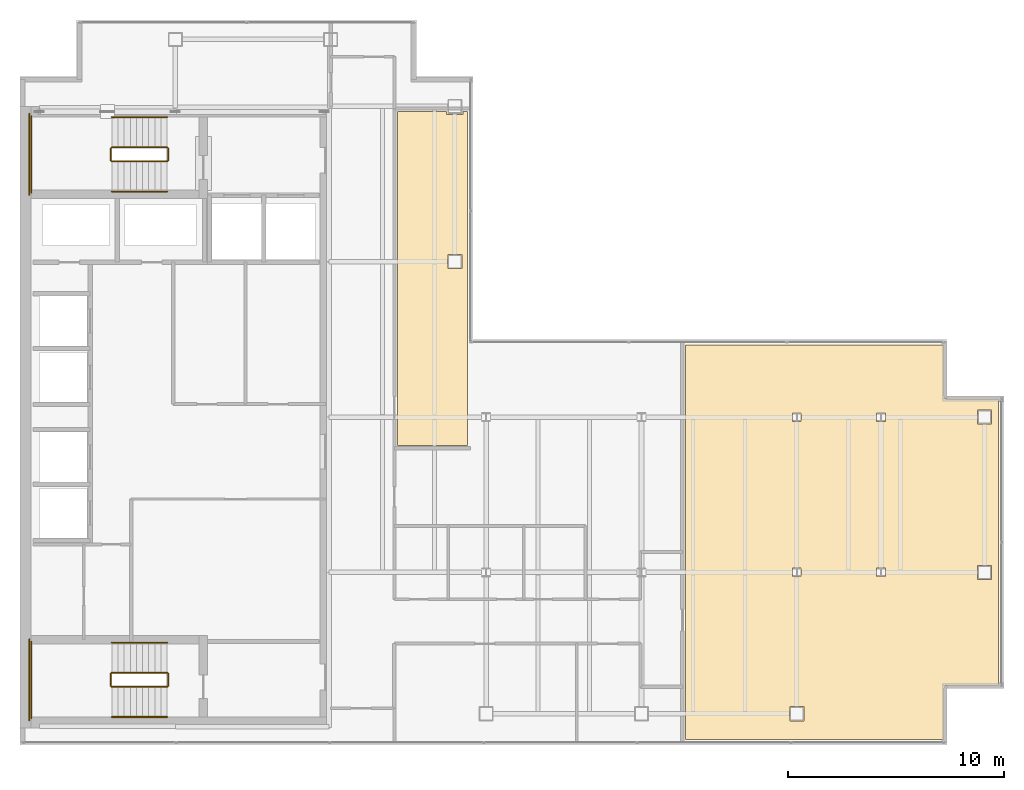
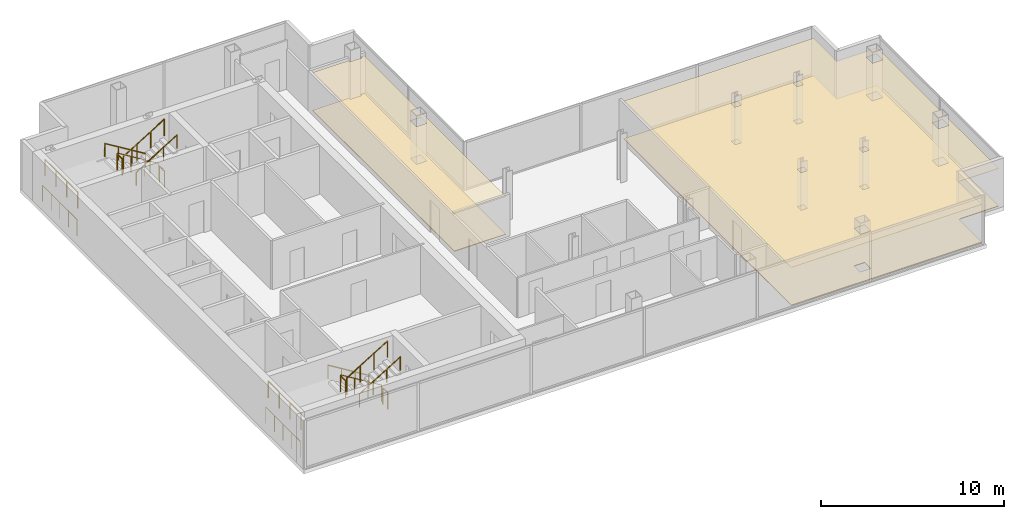
# One storey, part 23 of 23: 16 railings, 4 coverings.
"""IFC4 building model written with IfcOpenShell, lengths in metres."""

from ifc_helpers import new_model, si_unit, direction, frame, origin, origin_2d, place, context, subcontext, project, spatial, polyline, circle, outline, extrude, material, layer, layer_set, type_object, element, save


model = new_model("IFC4")

# Units and contexts
model_context = context("Model", 3, precision=1e-05, world=origin(), true_north=direction((0.0, 1.0)))
body_context = subcontext(model_context, "Body", "Model", "MODEL_VIEW")
ifc_project = project(units=[si_unit("LENGTHUNIT", "METRE"), si_unit("AREAUNIT", "SQUARE_METRE"), si_unit("VOLUMEUNIT", "CUBIC_METRE"), si_unit("PLANEANGLEUNIT", "RADIAN"), si_unit("MASSUNIT", "GRAM", prefix="KILO")], contexts=[model_context])

# Site, building, storey
site_placement = place(None, origin())
site = spatial("IfcSite", under=ifc_project, at=site_placement, CompositionType="ELEMENT")
building_placement = place(site_placement, origin())
building = spatial("IfcBuilding", under=site, at=building_placement, Name="Cobrela Telecom Tower", CompositionType="ELEMENT")
storey_placement = place(building_placement, frame((0.0, 0.0, 272.64990234375)))
storey = spatial("IfcBuildingStorey", under=building, at=storey_placement, Name="L71", CompositionType="ELEMENT", Elevation=272.64990234375)

# Coverings
ifc_material_1 = material(Name="Mineral Fibre Acoustic Ceiling Tile")
ifc_layer_1 = layer(ifc_material_1, 0.02490234375)
ifc_layer_set_1 = layer_set([ifc_layer_1], Name="Mineral Fibre Acoustic Ceiling Tile")
covering_type_1 = type_object("IfcCoveringType", Name="COV-CEIL-ACT", PredefinedType="CEILING", material=ifc_layer_set_1)
covering_1_placement = place(storey_placement, frame((0.0, 0.0, 2.52001953125)))
element("IfcCovering", 1, at=covering_1_placement, inside=storey, type_object=covering_type_1, Name="L71 Staff Fitness Gym 8 Suspended Acoustic Ceiling", PredefinedType="CEILING", context=body_context, shape_type="SweptSolid", body=[
    extrude(outline(polyline([(42.942626953125, 9.16748046875), (42.929443359375, 9.1640625), (42.91650390625, 9.159423828125), (42.904052734375, 9.153564453125), (42.89208984375, 9.146484375), (42.881103515625, 9.13818359375), (42.87109375, 9.12890625), (42.86181640625, 9.118896484375), (42.853515625, 9.10791015625), (42.846435546875, 9.095947265625), (42.840576171875, 9.08349609375), (42.8359375, 9.070556640625), (42.83251953125, 9.057373046875), (42.83056640625, 9.043701171875), (42.830078125, 9.031005859375), (42.830078125, 6.659912109375), (30.840087890625, 6.659912109375), (30.840087890625, 24.93994140625), (42.830078125, 24.93994140625), (42.830078125, 22.569091796875), (42.83056640625, 22.556396484375), (42.83251953125, 22.542724609375), (42.8359375, 22.529296875), (42.840576171875, 22.516357421875), (42.846435546875, 22.50390625), (42.853515625, 22.4921875), (42.86181640625, 22.481201171875), (42.87109375, 22.470947265625), (42.881103515625, 22.461669921875), (42.89208984375, 22.45361328125), (42.904052734375, 22.446533203125), (42.91650390625, 22.440673828125), (42.929443359375, 22.43603515625), (42.942626953125, 22.4326171875), (42.956298828125, 22.4306640625), (42.968994140625, 22.429931640625), (45.340087890625, 22.429931640625), (45.340087890625, 9.169921875), (42.968994140625, 9.169921875), (42.956298828125, 9.16943359375), (42.942626953125, 9.16748046875)]), holes=[polyline([(36.324951171875, 8.175048828125), (35.675048828125, 8.175048828125), (35.675048828125, 7.52490234375), (36.324951171875, 7.52490234375), (36.324951171875, 8.175048828125)]), polyline([(36.199462890625, 14.596923828125), (35.800537109375, 14.596923828125), (35.800537109375, 14.202880859375), (36.199462890625, 14.202880859375), (36.199462890625, 14.596923828125)]), polyline([(40.099609375, 14.596923828125), (39.700439453125, 14.596923828125), (39.700439453125, 14.202880859375), (40.099609375, 14.202880859375), (40.099609375, 14.596923828125)]), polyline([(45.02490234375, 14.72509765625), (44.375, 14.72509765625), (44.375, 14.074951171875), (45.02490234375, 14.074951171875), (45.02490234375, 14.72509765625)]), polyline([(36.199462890625, 21.797119140625), (35.800537109375, 21.797119140625), (35.800537109375, 21.403076171875), (36.199462890625, 21.403076171875), (36.199462890625, 21.797119140625)]), polyline([(40.099609375, 21.403076171875), (40.099609375, 21.797119140625), (39.700439453125, 21.797119140625), (39.700439453125, 21.403076171875), (40.099609375, 21.403076171875)]), polyline([(45.02490234375, 21.27490234375), (45.02490234375, 21.925048828125), (44.375, 21.925048828125), (44.375, 21.27490234375), (45.02490234375, 21.27490234375)])]), origin(), (0.0, 0.0, 1.0), 0.025146484375),
])
covering_2_placement = place(storey_placement, frame((0.0, 0.0, 2.52001953125)))
element("IfcCovering", 2, at=covering_2_placement, inside=storey, type_object=covering_type_1, Name="L71 Carrier Operations Office 3 Suspended Acoustic Ceiling", PredefinedType="CEILING", context=body_context, shape_type="SweptSolid", body=[
    extrude(outline(polyline([(19.77490234375, 35.625), (20.52490234375, 35.625), (20.52490234375, 35.760009765625), (20.739990234375, 35.760009765625), (20.739990234375, 20.2900390625), (17.489990234375, 20.2900390625), (17.489990234375, 35.760009765625), (19.77490234375, 35.760009765625), (19.77490234375, 35.625)]), holes=[polyline([(20.47509765625, 29.125), (19.824951171875, 29.125), (19.824951171875, 28.47509765625), (20.47509765625, 28.47509765625), (20.47509765625, 29.125)])]), origin(), (0.0, 0.0, 1.0), 0.025146484375),
])
ifc_material_2 = material(Name="Honed Colombian Basalt Stone", Category="masonry")
ifc_layer_2 = layer(ifc_material_2, 0.0400390625)
ifc_layer_set_2 = layer_set([ifc_layer_2], Name="Honed Colombian Basalt Stone")
covering_type_2 = type_object("IfcCoveringType", Name="COV-FLR-STONE", PredefinedType="FLOORING", material=ifc_layer_set_2)
covering_3_placement = place(storey_placement, origin())
element("IfcCovering", 3, at=covering_3_placement, inside=storey, type_object=covering_type_2, Name="L71 Staff Fitness Gym 8 Raised Technical Flooring", PredefinedType="FLOORING", context=body_context, shape_type="SweptSolid", body=[
    extrude(outline(polyline([(42.942626953125, 9.16748046875), (42.929443359375, 9.1640625), (42.91650390625, 9.159423828125), (42.904052734375, 9.153564453125), (42.89208984375, 9.146484375), (42.881103515625, 9.13818359375), (42.87109375, 9.12890625), (42.86181640625, 9.118896484375), (42.853515625, 9.10791015625), (42.846435546875, 9.095947265625), (42.840576171875, 9.08349609375), (42.8359375, 9.070556640625), (42.83251953125, 9.057373046875), (42.83056640625, 9.043701171875), (42.830078125, 9.031005859375), (42.830078125, 6.659912109375), (30.840087890625, 6.659912109375), (30.840087890625, 24.93994140625), (42.830078125, 24.93994140625), (42.830078125, 22.569091796875), (42.83056640625, 22.556396484375), (42.83251953125, 22.542724609375), (42.8359375, 22.529296875), (42.840576171875, 22.516357421875), (42.846435546875, 22.50390625), (42.853515625, 22.4921875), (42.86181640625, 22.481201171875), (42.87109375, 22.470947265625), (42.881103515625, 22.461669921875), (42.89208984375, 22.45361328125), (42.904052734375, 22.446533203125), (42.91650390625, 22.440673828125), (42.929443359375, 22.43603515625), (42.942626953125, 22.4326171875), (42.956298828125, 22.4306640625), (42.968994140625, 22.429931640625), (45.340087890625, 22.429931640625), (45.340087890625, 9.169921875), (42.968994140625, 9.169921875), (42.956298828125, 9.16943359375), (42.942626953125, 9.16748046875)]), holes=[polyline([(36.324951171875, 8.175048828125), (35.675048828125, 8.175048828125), (35.675048828125, 7.52490234375), (36.324951171875, 7.52490234375), (36.324951171875, 8.175048828125)]), polyline([(36.199462890625, 14.596923828125), (35.800537109375, 14.596923828125), (35.800537109375, 14.202880859375), (36.199462890625, 14.202880859375), (36.199462890625, 14.596923828125)]), polyline([(40.099609375, 14.596923828125), (39.700439453125, 14.596923828125), (39.700439453125, 14.202880859375), (40.099609375, 14.202880859375), (40.099609375, 14.596923828125)]), polyline([(45.02490234375, 14.72509765625), (44.375, 14.72509765625), (44.375, 14.074951171875), (45.02490234375, 14.074951171875), (45.02490234375, 14.72509765625)]), polyline([(36.199462890625, 21.797119140625), (35.800537109375, 21.797119140625), (35.800537109375, 21.403076171875), (36.199462890625, 21.403076171875), (36.199462890625, 21.797119140625)]), polyline([(40.099609375, 21.403076171875), (40.099609375, 21.797119140625), (39.700439453125, 21.797119140625), (39.700439453125, 21.403076171875), (40.099609375, 21.403076171875)]), polyline([(45.02490234375, 21.27490234375), (45.02490234375, 21.925048828125), (44.375, 21.925048828125), (44.375, 21.27490234375), (45.02490234375, 21.27490234375)])]), origin(), (0.0, 0.0, 1.0), 0.0400390625),
])
covering_4_placement = place(storey_placement, origin())
element("IfcCovering", 4, at=covering_4_placement, inside=storey, type_object=covering_type_2, Name="L71 Carrier Operations Office 3 Raised Technical Flooring", PredefinedType="FLOORING", context=body_context, shape_type="SweptSolid", body=[
    extrude(outline(polyline([(19.77490234375, 35.625), (20.52490234375, 35.625), (20.52490234375, 35.760009765625), (20.739990234375, 35.760009765625), (20.739990234375, 20.2900390625), (17.489990234375, 20.2900390625), (17.489990234375, 35.760009765625), (19.77490234375, 35.760009765625), (19.77490234375, 35.625)]), holes=[polyline([(20.47509765625, 29.125), (19.824951171875, 29.125), (19.824951171875, 28.47509765625), (20.47509765625, 28.47509765625), (20.47509765625, 29.125)])]), origin(), (0.0, 0.0, 1.0), 0.0400390625),
])

# Railings
ifc_material_3 = material(Name="Steel ASTM A36", Category="steel")
railing_type_1 = type_object("IfcRailingType", Name="RAIL-GUARD-1100", PredefinedType="GUARDRAIL", material=ifc_material_3)
railing_1_placement = place(storey_placement, frame((6.820068359375, 34.10009765625, 0.175048828125)))
element("IfcRailing", 5, at=railing_1_placement, inside=storey, type_object=railing_type_1, Name="L71 ST1 stair guard 1", PredefinedType="GUARDRAIL", context=body_context, shape_type="SweptSolid", body=[
    extrude(circle(Radius=0.02392578125, at=origin_2d()), frame((0.0, 0.0, 1.076171875), z_axis=(-0.852195335862, 0.0, 0.523223766217), x_axis=(0.0, -1.0, 0.0)), (0.0, 0.0, 1.0), 3.010009765625),
    extrude(circle(Radius=0.02099609375, at=origin_2d()), origin(), (0.0, 0.0, 1.0), 1.052001953125),
    extrude(circle(Radius=0.02099609375, at=origin_2d()), frame((-0.85498046875, 0.0, 0.52490234375)), (0.0, 0.0, 1.0), 1.052001953125),
    extrude(circle(Radius=0.02099609375, at=origin_2d()), frame((-1.710205078125, 0.0, 1.050048828125)), (0.0, 0.0, 1.0), 1.052001953125),
    extrude(circle(Radius=0.02099609375, at=origin_2d()), frame((-2.565185546875, 0.0, 1.574951171875)), (0.0, 0.0, 1.0), 1.052001953125),
])
railing_2_placement = place(storey_placement, frame((4.205078125, 34.050048828125, 1.75)))
element("IfcRailing", 6, at=railing_2_placement, inside=storey, type_object=railing_type_1, Name="L71 ST1 stair guard 2", PredefinedType="GUARDRAIL", context=body_context, shape_type="SweptSolid", body=[
    extrude(circle(Radius=0.02392578125, at=origin_2d()), frame((0.0, 0.0, 1.076171875), z_axis=(0.0, -1.0, 0.0), x_axis=(1.0, 0.0, 0.0)), (0.0, 0.0, 1.0), 0.550048828125),
    extrude(circle(Radius=0.02099609375, at=origin_2d()), origin(), (0.0, 0.0, 1.0), 1.052001953125),
    extrude(circle(Radius=0.02099609375, at=origin_2d()), frame((0.0, -0.550048828125, 0.0)), (0.0, 0.0, 1.0), 1.052001953125),
])
railing_3_placement = place(storey_placement, frame((0.530029296875, 35.550048828125, 1.75)))
element("IfcRailing", 7, at=railing_3_placement, inside=storey, type_object=railing_type_1, Name="L71 ST1 stair guard 3", PredefinedType="GUARDRAIL", context=body_context, shape_type="SweptSolid", body=[
    extrude(circle(Radius=0.02392578125, at=origin_2d()), frame((0.0, 0.0, 1.076171875), z_axis=(0.0, -1.0, 0.0), x_axis=(1.0, 0.0, 0.0)), (0.0, 0.0, 1.0), 3.550048828125),
    extrude(circle(Radius=0.02099609375, at=origin_2d()), origin(), (0.0, 0.0, 1.0), 1.052001953125),
    extrude(circle(Radius=0.02099609375, at=origin_2d()), frame((0.0, -1.183349609375, 0.0)), (0.0, 0.0, 1.0), 1.052001953125),
    extrude(circle(Radius=0.02099609375, at=origin_2d()), frame((0.0, -2.36669921875, 0.0)), (0.0, 0.0, 1.0), 1.052001953125),
    extrude(circle(Radius=0.02099609375, at=origin_2d()), frame((0.0, -3.550048828125, 0.0)), (0.0, 0.0, 1.0), 1.052001953125),
])
railing_4_placement = place(storey_placement, frame((4.2548828125, 33.449951171875, 1.925048828125)))
element("IfcRailing", 8, at=railing_4_placement, inside=storey, type_object=railing_type_1, Name="L71 ST1 stair guard 4", PredefinedType="GUARDRAIL", context=body_context, shape_type="SweptSolid", body=[
    extrude(circle(Radius=0.02392578125, at=origin_2d()), frame((0.0, 0.0, 1.076171875), z_axis=(0.852195335862, 0.0, 0.523223766217), x_axis=(0.0, 1.0, 0.0)), (0.0, 0.0, 1.0), 3.010009765625),
    extrude(circle(Radius=0.02099609375, at=origin_2d()), origin(), (0.0, 0.0, 1.0), 1.052001953125),
    extrude(circle(Radius=0.02099609375, at=origin_2d()), frame((0.85498046875, 0.0, 0.52490234375)), (0.0, 0.0, 1.0), 1.052001953125),
    extrude(circle(Radius=0.02099609375, at=origin_2d()), frame((1.710205078125, 0.0, 1.050048828125)), (0.0, 0.0, 1.0), 1.052001953125),
    extrude(circle(Radius=0.02099609375, at=origin_2d()), frame((2.565185546875, 0.0, 1.574951171875)), (0.0, 0.0, 1.0), 1.052001953125),
])
railing_5_placement = place(storey_placement, frame((6.8701171875, 34.050048828125, 0.0)))
element("IfcRailing", 9, at=railing_5_placement, inside=storey, type_object=railing_type_1, Name="L71 ST1 stair guard 5", PredefinedType="GUARDRAIL", context=body_context, shape_type="SweptSolid", body=[
    extrude(circle(Radius=0.02392578125, at=origin_2d()), frame((0.0, 0.0, 1.076171875), z_axis=(0.0, -1.0, 0.0), x_axis=(1.0, 0.0, 0.0)), (0.0, 0.0, 1.0), 0.550048828125),
    extrude(circle(Radius=0.02099609375, at=origin_2d()), origin(), (0.0, 0.0, 1.0), 1.052001953125),
    extrude(circle(Radius=0.02099609375, at=origin_2d()), frame((0.0, -0.550048828125, 0.0)), (0.0, 0.0, 1.0), 1.052001953125),
])
railing_6_placement = place(storey_placement, frame((0.429931640625, 35.64990234375, 0.0)))
element("IfcRailing", 10, at=railing_6_placement, inside=storey, type_object=railing_type_1, Name="L71 ST1 stair guard 6", PredefinedType="GUARDRAIL", context=body_context, shape_type="SweptSolid", body=[
    extrude(circle(Radius=0.02392578125, at=origin_2d()), frame((0.0, 0.0, 1.076171875), z_axis=(0.0, -1.0, 0.0), x_axis=(1.0, 0.0, 0.0)), (0.0, 0.0, 1.0), 3.75),
    extrude(circle(Radius=0.02099609375, at=origin_2d()), origin(), (0.0, 0.0, 1.0), 1.052001953125),
    extrude(circle(Radius=0.02099609375, at=origin_2d()), frame((0.0, -0.9375, 0.0)), (0.0, 0.0, 1.0), 1.052001953125),
    extrude(circle(Radius=0.02099609375, at=origin_2d()), frame((0.0, -1.875, 0.0)), (0.0, 0.0, 1.0), 1.052001953125),
    extrude(circle(Radius=0.02099609375, at=origin_2d()), frame((0.0, -2.8125, 0.0)), (0.0, 0.0, 1.0), 1.052001953125),
    extrude(circle(Radius=0.02099609375, at=origin_2d()), frame((0.0, -3.75, 0.0)), (0.0, 0.0, 1.0), 1.052001953125),
])
railing_7_placement = place(storey_placement, frame((6.820068359375, 9.75, 0.175048828125)))
element("IfcRailing", 11, at=railing_7_placement, inside=storey, type_object=railing_type_1, Name="L71 ST2 stair guard 1", PredefinedType="GUARDRAIL", context=body_context, shape_type="SweptSolid", body=[
    extrude(circle(Radius=0.02392578125, at=origin_2d()), frame((0.0, 0.0, 1.076171875), z_axis=(-0.852195335862, 0.0, 0.523223766217), x_axis=(0.0, -1.0, 0.0)), (0.0, 0.0, 1.0), 3.010009765625),
    extrude(circle(Radius=0.02099609375, at=origin_2d()), origin(), (0.0, 0.0, 1.0), 1.052001953125),
    extrude(circle(Radius=0.02099609375, at=origin_2d()), frame((-0.85498046875, 0.0, 0.52490234375)), (0.0, 0.0, 1.0), 1.052001953125),
    extrude(circle(Radius=0.02099609375, at=origin_2d()), frame((-1.710205078125, 0.0, 1.050048828125)), (0.0, 0.0, 1.0), 1.052001953125),
    extrude(circle(Radius=0.02099609375, at=origin_2d()), frame((-2.565185546875, 0.0, 1.574951171875)), (0.0, 0.0, 1.0), 1.052001953125),
])
railing_8_placement = place(storey_placement, frame((4.205078125, 9.699951171875, 1.75)))
element("IfcRailing", 12, at=railing_8_placement, inside=storey, type_object=railing_type_1, Name="L71 ST2 stair guard 2", PredefinedType="GUARDRAIL", context=body_context, shape_type="SweptSolid", body=[
    extrude(circle(Radius=0.02392578125, at=origin_2d()), frame((0.0, 0.0, 1.076171875), z_axis=(0.0, -1.0, 0.0), x_axis=(1.0, 0.0, 0.0)), (0.0, 0.0, 1.0), 0.550048828125),
    extrude(circle(Radius=0.02099609375, at=origin_2d()), origin(), (0.0, 0.0, 1.0), 1.052001953125),
    extrude(circle(Radius=0.02099609375, at=origin_2d()), frame((0.0, -0.550048828125, 0.0)), (0.0, 0.0, 1.0), 1.052001953125),
])
railing_9_placement = place(storey_placement, frame((0.530029296875, 11.199951171875, 1.75)))
element("IfcRailing", 13, at=railing_9_placement, inside=storey, type_object=railing_type_1, Name="L71 ST2 stair guard 3", PredefinedType="GUARDRAIL", context=body_context, shape_type="SweptSolid", body=[
    extrude(circle(Radius=0.02392578125, at=origin_2d()), frame((0.0, 0.0, 1.076171875), z_axis=(0.0, -1.0, 0.0), x_axis=(1.0, 0.0, 0.0)), (0.0, 0.0, 1.0), 3.550048828125),
    extrude(circle(Radius=0.02099609375, at=origin_2d()), origin(), (0.0, 0.0, 1.0), 1.052001953125),
    extrude(circle(Radius=0.02099609375, at=origin_2d()), frame((0.0, -1.183349609375, 0.0)), (0.0, 0.0, 1.0), 1.052001953125),
    extrude(circle(Radius=0.02099609375, at=origin_2d()), frame((0.0, -2.36669921875, 0.0)), (0.0, 0.0, 1.0), 1.052001953125),
    extrude(circle(Radius=0.02099609375, at=origin_2d()), frame((0.0, -3.550048828125, 0.0)), (0.0, 0.0, 1.0), 1.052001953125),
])
railing_10_placement = place(storey_placement, frame((4.2548828125, 9.10009765625, 1.925048828125)))
element("IfcRailing", 14, at=railing_10_placement, inside=storey, type_object=railing_type_1, Name="L71 ST2 stair guard 4", PredefinedType="GUARDRAIL", context=body_context, shape_type="SweptSolid", body=[
    extrude(circle(Radius=0.02392578125, at=origin_2d()), frame((0.0, 0.0, 1.076171875), z_axis=(0.852195335862, 0.0, 0.523223766217), x_axis=(0.0, 1.0, 0.0)), (0.0, 0.0, 1.0), 3.010009765625),
    extrude(circle(Radius=0.02099609375, at=origin_2d()), origin(), (0.0, 0.0, 1.0), 1.052001953125),
    extrude(circle(Radius=0.02099609375, at=origin_2d()), frame((0.85498046875, 0.0, 0.52490234375)), (0.0, 0.0, 1.0), 1.052001953125),
    extrude(circle(Radius=0.02099609375, at=origin_2d()), frame((1.710205078125, 0.0, 1.050048828125)), (0.0, 0.0, 1.0), 1.052001953125),
    extrude(circle(Radius=0.02099609375, at=origin_2d()), frame((2.565185546875, 0.0, 1.574951171875)), (0.0, 0.0, 1.0), 1.052001953125),
])
railing_11_placement = place(storey_placement, frame((6.8701171875, 9.699951171875, 0.0)))
element("IfcRailing", 15, at=railing_11_placement, inside=storey, type_object=railing_type_1, Name="L71 ST2 stair guard 5", PredefinedType="GUARDRAIL", context=body_context, shape_type="SweptSolid", body=[
    extrude(circle(Radius=0.02392578125, at=origin_2d()), frame((0.0, 0.0, 1.076171875), z_axis=(0.0, -1.0, 0.0), x_axis=(1.0, 0.0, 0.0)), (0.0, 0.0, 1.0), 0.550048828125),
    extrude(circle(Radius=0.02099609375, at=origin_2d()), origin(), (0.0, 0.0, 1.0), 1.052001953125),
    extrude(circle(Radius=0.02099609375, at=origin_2d()), frame((0.0, -0.550048828125, 0.0)), (0.0, 0.0, 1.0), 1.052001953125),
])
railing_12_placement = place(storey_placement, frame((0.429931640625, 11.300048828125, 0.0)))
element("IfcRailing", 16, at=railing_12_placement, inside=storey, type_object=railing_type_1, Name="L71 ST2 stair guard 6", PredefinedType="GUARDRAIL", context=body_context, shape_type="SweptSolid", body=[
    extrude(circle(Radius=0.02392578125, at=origin_2d()), frame((0.0, 0.0, 1.076171875), z_axis=(0.0, -1.0, 0.0), x_axis=(1.0, 0.0, 0.0)), (0.0, 0.0, 1.0), 3.75),
    extrude(circle(Radius=0.02099609375, at=origin_2d()), origin(), (0.0, 0.0, 1.0), 1.052001953125),
    extrude(circle(Radius=0.02099609375, at=origin_2d()), frame((0.0, -0.9375, 0.0)), (0.0, 0.0, 1.0), 1.052001953125),
    extrude(circle(Radius=0.02099609375, at=origin_2d()), frame((0.0, -1.875, 0.0)), (0.0, 0.0, 1.0), 1.052001953125),
    extrude(circle(Radius=0.02099609375, at=origin_2d()), frame((0.0, -2.8125, 0.0)), (0.0, 0.0, 1.0), 1.052001953125),
    extrude(circle(Radius=0.02099609375, at=origin_2d()), frame((0.0, -3.75, 0.0)), (0.0, 0.0, 1.0), 1.052001953125),
])
railing_type_2 = type_object("IfcRailingType", Name="RAIL-HAND-920", PredefinedType="HANDRAIL", material=ifc_material_3)
railing_13_placement = place(storey_placement, frame((6.820068359375, 35.5, 0.175048828125)))
element("IfcRailing", 17, at=railing_13_placement, inside=storey, type_object=railing_type_2, Name="L71 ST1 stair handrail 1", PredefinedType="HANDRAIL", context=body_context, shape_type="SweptSolid", body=[
    extrude(circle(Radius=0.02392578125, at=origin_2d()), frame((0.0, 0.0, 0.8759765625), z_axis=(-0.852195335862, 0.0, 0.523223766217), x_axis=(0.0, -1.0, 0.0)), (0.0, 0.0, 1.0), 3.010009765625),
    extrude(circle(Radius=0.02099609375, at=origin_2d()), origin(), (0.0, 0.0, 1.0), 0.851806640625),
    extrude(circle(Radius=0.02099609375, at=origin_2d()), frame((-0.85498046875, 0.0, 0.52490234375)), (0.0, 0.0, 1.0), 0.851806640625),
    extrude(circle(Radius=0.02099609375, at=origin_2d()), frame((-1.710205078125, 0.0, 1.050048828125)), (0.0, 0.0, 1.0), 0.851806640625),
    extrude(circle(Radius=0.02099609375, at=origin_2d()), frame((-2.565185546875, 0.0, 1.574951171875)), (0.0, 0.0, 1.0), 0.851806640625),
])
railing_14_placement = place(storey_placement, frame((4.2548828125, 32.050048828125, 1.925048828125)))
element("IfcRailing", 18, at=railing_14_placement, inside=storey, type_object=railing_type_2, Name="L71 ST1 stair handrail 2", PredefinedType="HANDRAIL", context=body_context, shape_type="SweptSolid", body=[
    extrude(circle(Radius=0.02392578125, at=origin_2d()), frame((0.0, 0.0, 0.8759765625), z_axis=(0.852195335862, 0.0, 0.523223766217), x_axis=(0.0, 1.0, 0.0)), (0.0, 0.0, 1.0), 3.010009765625),
    extrude(circle(Radius=0.02099609375, at=origin_2d()), origin(), (0.0, 0.0, 1.0), 0.851806640625),
    extrude(circle(Radius=0.02099609375, at=origin_2d()), frame((0.85498046875, 0.0, 0.52490234375)), (0.0, 0.0, 1.0), 0.851806640625),
    extrude(circle(Radius=0.02099609375, at=origin_2d()), frame((1.710205078125, 0.0, 1.050048828125)), (0.0, 0.0, 1.0), 0.851806640625),
    extrude(circle(Radius=0.02099609375, at=origin_2d()), frame((2.565185546875, 0.0, 1.574951171875)), (0.0, 0.0, 1.0), 0.851806640625),
])
railing_15_placement = place(storey_placement, frame((6.820068359375, 11.14990234375, 0.175048828125)))
element("IfcRailing", 19, at=railing_15_placement, inside=storey, type_object=railing_type_2, Name="L71 ST2 stair handrail 1", PredefinedType="HANDRAIL", context=body_context, shape_type="SweptSolid", body=[
    extrude(circle(Radius=0.02392578125, at=origin_2d()), frame((0.0, 0.0, 0.8759765625), z_axis=(-0.852195335862, 0.0, 0.523223766217), x_axis=(0.0, -1.0, 0.0)), (0.0, 0.0, 1.0), 3.010009765625),
    extrude(circle(Radius=0.02099609375, at=origin_2d()), origin(), (0.0, 0.0, 1.0), 0.851806640625),
    extrude(circle(Radius=0.02099609375, at=origin_2d()), frame((-0.85498046875, 0.0, 0.52490234375)), (0.0, 0.0, 1.0), 0.851806640625),
    extrude(circle(Radius=0.02099609375, at=origin_2d()), frame((-1.710205078125, 0.0, 1.050048828125)), (0.0, 0.0, 1.0), 0.851806640625),
    extrude(circle(Radius=0.02099609375, at=origin_2d()), frame((-2.565185546875, 0.0, 1.574951171875)), (0.0, 0.0, 1.0), 0.851806640625),
])
railing_16_placement = place(storey_placement, frame((4.2548828125, 7.699951171875, 1.925048828125)))
element("IfcRailing", 20, at=railing_16_placement, inside=storey, type_object=railing_type_2, Name="L71 ST2 stair handrail 2", PredefinedType="HANDRAIL", context=body_context, shape_type="SweptSolid", body=[
    extrude(circle(Radius=0.02392578125, at=origin_2d()), frame((0.0, 0.0, 0.8759765625), z_axis=(0.852195335862, 0.0, 0.523223766217), x_axis=(0.0, 1.0, 0.0)), (0.0, 0.0, 1.0), 3.010009765625),
    extrude(circle(Radius=0.02099609375, at=origin_2d()), origin(), (0.0, 0.0, 1.0), 0.851806640625),
    extrude(circle(Radius=0.02099609375, at=origin_2d()), frame((0.85498046875, 0.0, 0.52490234375)), (0.0, 0.0, 1.0), 0.851806640625),
    extrude(circle(Radius=0.02099609375, at=origin_2d()), frame((1.710205078125, 0.0, 1.050048828125)), (0.0, 0.0, 1.0), 0.851806640625),
    extrude(circle(Radius=0.02099609375, at=origin_2d()), frame((2.565185546875, 0.0, 1.574951171875)), (0.0, 0.0, 1.0), 0.851806640625),
])

save(model, "model.ifc")
